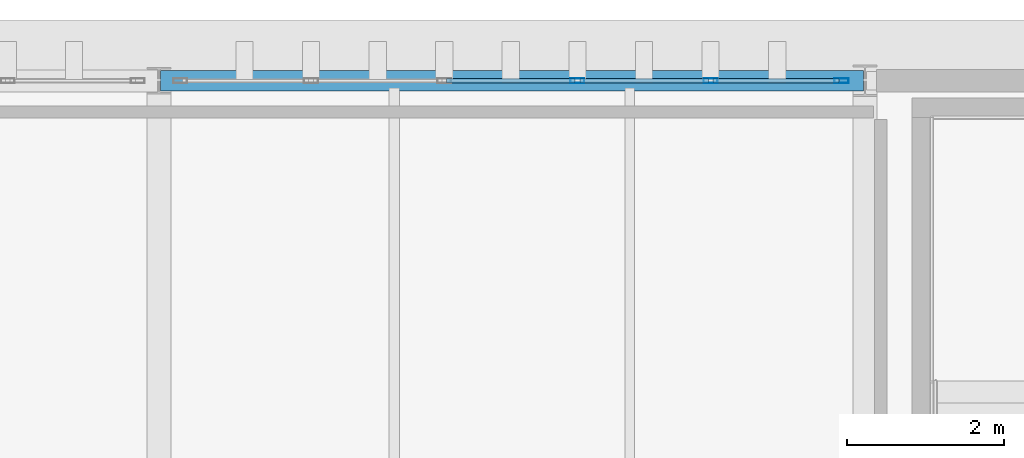
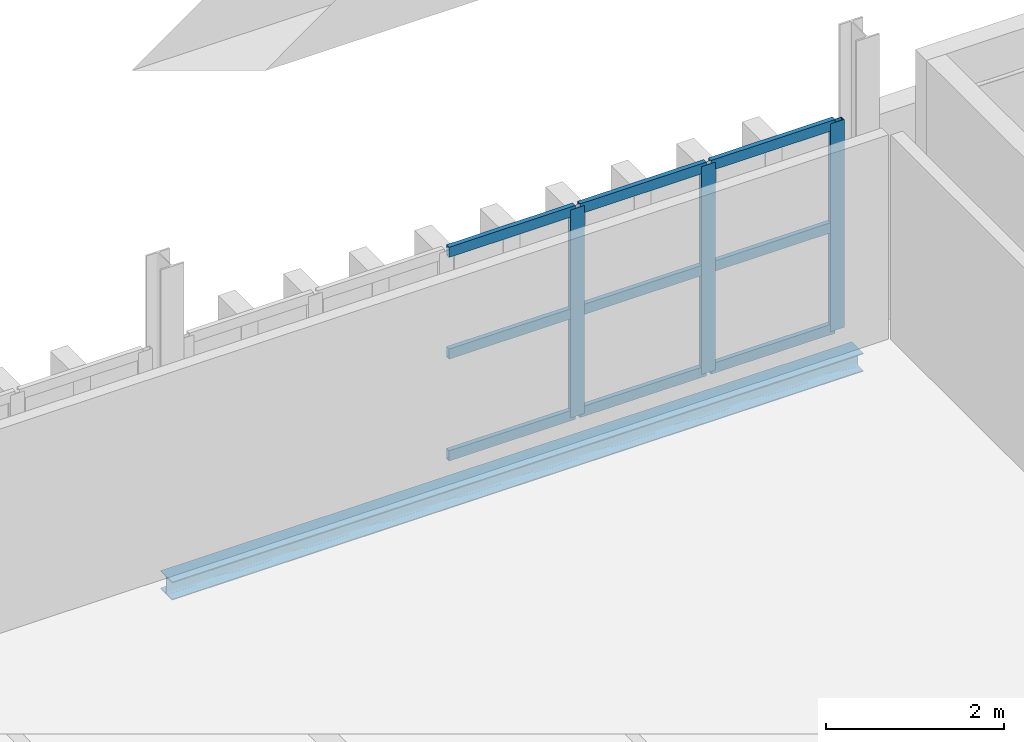
# One storey, part 69 of 102: 12 members, 1 beam, 1 element without a shape of its own.
"""IFC4 building model written with IfcOpenShell, lengths in metres."""

from ifc_helpers import new_model, si_unit, direction, frame, origin, origin_2d, place, context, subcontext, project, spatial, hollow_rectangle, i_section, extrude, material, layer, layer_set, material_profile, profile_set, type_object, element, aggregate, save


model = new_model("IFC4")

# Units and contexts
model_context = context("Model", 3, precision=1e-05, world=origin(), true_north=direction((0.0, 1.0)))
body_context = subcontext(model_context, "Body", "Model", "MODEL_VIEW")
ifc_project = project(units=[si_unit("LENGTHUNIT", "METRE"), si_unit("AREAUNIT", "SQUARE_METRE"), si_unit("VOLUMEUNIT", "CUBIC_METRE"), si_unit("PLANEANGLEUNIT", "RADIAN"), si_unit("MASSUNIT", "GRAM", prefix="KILO")], contexts=[model_context])

# Site, building, storey
site_placement = place(None, origin())
site = spatial("IfcSite", under=ifc_project, at=site_placement, CompositionType="ELEMENT")
building_placement = place(site_placement, origin())
building = spatial("IfcBuilding", under=site, at=building_placement, Name="Barlavento Convention Centre", CompositionType="ELEMENT")
storey_placement = place(building_placement, frame((0.0, 0.0, 22.800048828125)))
storey = spatial("IfcBuildingStorey", under=building, at=storey_placement, Name="L04", CompositionType="ELEMENT", Elevation=22.800048828125)

# Curtain wall, members
ifc_material_1 = material(Name="Powder-coated aluminium and Low-E glass", Category="aluminium")
ifc_layer = layer(ifc_material_1, 0.18505859375)
ifc_layer_set = layer_set([ifc_layer], Name="ARC-CW-CONF-L04")
curtain_wall_type = type_object("IfcCurtainWallType", Name="ARC-CW-CONF-L04", PredefinedType="NOTDEFINED", material=ifc_layer_set)
curtain_wall_placement = place(storey_placement, origin())
curtain_wall = element("IfcCurtainWall", 1, at=curtain_wall_placement, inside=storey, type_object=curtain_wall_type, Name="L04 unitised curtain wall CW09", PredefinedType="NOTDEFINED")
ifc_material_2 = material(Name="Powder-coated aluminium", Category="aluminium")
ifc_material_profile_1 = material_profile(ifc_material_2, hollow_rectangle(XDim=0.06005859375, YDim=0.179931640625, WallThickness=0.0048828125, at=origin_2d()), Name="AL-MULL 60x180x5")
ifc_profile_set_1 = profile_set([ifc_material_profile_1], Name="Powder-coated aluminium")
member_type_1 = type_object("IfcMemberType", Name="ARC-CWM-60X180", PredefinedType="MULLION", material=ifc_profile_set_1)
member_1_placement = place(storey_placement, frame((140.333984375, 99.0, 0.0), z_axis=(0.0, 0.0, 1.0), x_axis=(0.0, 1.0, 0.0)))
member_1 = element("IfcMember", 2, at=member_1_placement, type_object=member_type_1, Name="CW09 mullion 4", PredefinedType="MULLION", context=body_context, shape_type="SweptSolid", body=[
    extrude(hollow_rectangle(XDim=0.06005859375, YDim=0.179931640625, WallThickness=0.0048828125, at=origin_2d()), origin(), (0.0, 0.0, 1.0), 2.849853515625),
])
member_2_placement = place(storey_placement, frame((142.031982421875, 99.0, 0.0), z_axis=(0.0, 0.0, 1.0), x_axis=(0.0, 1.0, 0.0)))
member_2 = element("IfcMember", 3, at=member_2_placement, type_object=member_type_1, Name="CW09 mullion 5", PredefinedType="MULLION", context=body_context, shape_type="SweptSolid", body=[
    extrude(hollow_rectangle(XDim=0.06005859375, YDim=0.179931640625, WallThickness=0.0048828125, at=origin_2d()), origin(), (0.0, 0.0, 1.0), 2.849853515625),
])
member_3_placement = place(storey_placement, frame((143.699951171875, 99.0, 0.0), z_axis=(0.0, 0.0, 1.0), x_axis=(0.0, 1.0, 0.0)))
member_3 = element("IfcMember", 4, at=member_3_placement, type_object=member_type_1, Name="CW09 mullion 6", PredefinedType="MULLION", context=body_context, shape_type="SweptSolid", body=[
    extrude(hollow_rectangle(XDim=0.06005859375, YDim=0.179931640625, WallThickness=0.0048828125, at=origin_2d()), origin(), (0.0, 0.0, 1.0), 2.849853515625),
])
ifc_material_profile_2 = material_profile(ifc_material_2, hollow_rectangle(XDim=0.06005859375, YDim=0.139892578125, WallThickness=0.00390625, at=origin_2d()), Name="AL-TRAN 60x140x4")
ifc_profile_set_2 = profile_set([ifc_material_profile_2], Name="Powder-coated aluminium")
member_type_2 = type_object("IfcMemberType", Name="ARC-CWT-60X140", PredefinedType="USERDEFINED", material=ifc_profile_set_2)
member_4_placement = place(storey_placement, frame((138.666015625, 99.0, 0.030029296875), z_axis=(1.0, 0.0, 0.0), x_axis=(0.0, 1.0, 0.0)))
member_4 = element("IfcMember", 5, at=member_4_placement, type_object=member_type_2, Name="CW09 transom 3.1", ObjectType="TRANSOM", PredefinedType="USERDEFINED", context=body_context, shape_type="SweptSolid", body=[
    extrude(hollow_rectangle(XDim=0.06005859375, YDim=0.139892578125, WallThickness=0.00390625, at=origin_2d()), origin(), (0.0, 0.0, 1.0), 1.637939453125),
])
member_5_placement = place(storey_placement, frame((138.666015625, 99.0, 1.425048828125), z_axis=(1.0, 0.0, 0.0), x_axis=(0.0, 1.0, 0.0)))
member_5 = element("IfcMember", 6, at=member_5_placement, type_object=member_type_2, Name="CW09 transom 3.2", ObjectType="TRANSOM", PredefinedType="USERDEFINED", context=body_context, shape_type="SweptSolid", body=[
    extrude(hollow_rectangle(XDim=0.06005859375, YDim=0.139892578125, WallThickness=0.00390625, at=origin_2d()), origin(), (0.0, 0.0, 1.0), 1.637939453125),
])
member_6_placement = place(storey_placement, frame((138.666015625, 99.0, 2.820068359375), z_axis=(1.0, 0.0, 0.0), x_axis=(0.0, 1.0, 0.0)))
member_6 = element("IfcMember", 7, at=member_6_placement, type_object=member_type_2, Name="CW09 transom 3.3", ObjectType="TRANSOM", PredefinedType="USERDEFINED", context=body_context, shape_type="SweptSolid", body=[
    extrude(hollow_rectangle(XDim=0.06005859375, YDim=0.139892578125, WallThickness=0.00390625, at=origin_2d()), origin(), (0.0, 0.0, 1.0), 1.637939453125),
])
member_7_placement = place(storey_placement, frame((140.364013671875, 99.0, 0.030029296875), z_axis=(1.0, 0.0, 0.0), x_axis=(0.0, 1.0, 0.0)))
member_7 = element("IfcMember", 8, at=member_7_placement, type_object=member_type_2, Name="CW09 transom 4.1", ObjectType="TRANSOM", PredefinedType="USERDEFINED", context=body_context, shape_type="SweptSolid", body=[
    extrude(hollow_rectangle(XDim=0.06005859375, YDim=0.139892578125, WallThickness=0.00390625, at=origin_2d()), origin(), (0.0, 0.0, 1.0), 1.637939453125),
])
member_8_placement = place(storey_placement, frame((140.364013671875, 99.0, 1.425048828125), z_axis=(1.0, 0.0, 0.0), x_axis=(0.0, 1.0, 0.0)))
member_8 = element("IfcMember", 9, at=member_8_placement, type_object=member_type_2, Name="CW09 transom 4.2", ObjectType="TRANSOM", PredefinedType="USERDEFINED", context=body_context, shape_type="SweptSolid", body=[
    extrude(hollow_rectangle(XDim=0.06005859375, YDim=0.139892578125, WallThickness=0.00390625, at=origin_2d()), origin(), (0.0, 0.0, 1.0), 1.637939453125),
])
member_9_placement = place(storey_placement, frame((140.364013671875, 99.0, 2.820068359375), z_axis=(1.0, 0.0, 0.0), x_axis=(0.0, 1.0, 0.0)))
member_9 = element("IfcMember", 10, at=member_9_placement, type_object=member_type_2, Name="CW09 transom 4.3", ObjectType="TRANSOM", PredefinedType="USERDEFINED", context=body_context, shape_type="SweptSolid", body=[
    extrude(hollow_rectangle(XDim=0.06005859375, YDim=0.139892578125, WallThickness=0.00390625, at=origin_2d()), origin(), (0.0, 0.0, 1.0), 1.637939453125),
])
member_10_placement = place(storey_placement, frame((142.06201171875, 99.0, 0.030029296875), z_axis=(1.0, 0.0, 0.0), x_axis=(0.0, 1.0, 0.0)))
member_10 = element("IfcMember", 11, at=member_10_placement, type_object=member_type_2, Name="CW09 transom 5.1", ObjectType="TRANSOM", PredefinedType="USERDEFINED", context=body_context, shape_type="SweptSolid", body=[
    extrude(hollow_rectangle(XDim=0.06005859375, YDim=0.139892578125, WallThickness=0.00390625, at=origin_2d()), origin(), (0.0, 0.0, 1.0), 1.60791015625),
])
member_11_placement = place(storey_placement, frame((142.06201171875, 99.0, 1.425048828125), z_axis=(1.0, 0.0, 0.0), x_axis=(0.0, 1.0, 0.0)))
member_11 = element("IfcMember", 12, at=member_11_placement, type_object=member_type_2, Name="CW09 transom 5.2", ObjectType="TRANSOM", PredefinedType="USERDEFINED", context=body_context, shape_type="SweptSolid", body=[
    extrude(hollow_rectangle(XDim=0.06005859375, YDim=0.139892578125, WallThickness=0.00390625, at=origin_2d()), origin(), (0.0, 0.0, 1.0), 1.60791015625),
])
member_12_placement = place(storey_placement, frame((142.06201171875, 99.0, 2.820068359375), z_axis=(1.0, 0.0, 0.0), x_axis=(0.0, 1.0, 0.0)))
member_12 = element("IfcMember", 13, at=member_12_placement, type_object=member_type_2, Name="CW09 transom 5.3", ObjectType="TRANSOM", PredefinedType="USERDEFINED", context=body_context, shape_type="SweptSolid", body=[
    extrude(hollow_rectangle(XDim=0.06005859375, YDim=0.139892578125, WallThickness=0.00390625, at=origin_2d()), origin(), (0.0, 0.0, 1.0), 1.60791015625),
])
aggregate(curtain_wall, [member_1, member_2, member_3, member_4, member_5, member_6, member_7, member_8, member_9, member_10, member_11, member_12])

# Beam
ifc_material_3 = material(Name="Steel S355", Category="steel")
ifc_material_profile_3 = material_profile(ifc_material_3, i_section(OverallWidth=0.260009765625, OverallDepth=0.25, WebThickness=0.007568359375, FlangeThickness=0.012451171875, FilletRadius=0.02392578125, at=origin_2d()), Name="HEA 260")
ifc_profile_set_3 = profile_set([ifc_material_profile_3], Name="Steel S355")
beam_type = type_object("IfcBeamType", Name="STR-BM-SPN-HEA260", PredefinedType="SPANDREL", material=ifc_profile_set_3)
beam_placement = place(storey_placement, frame((135.02001953125, 99.0, -0.485107421875), z_axis=(1.0, 0.0, 0.0), x_axis=(0.0, 1.0, 0.0)))
element("IfcBeam", 14, at=beam_placement, inside=storey, type_object=beam_type, Name="L04 primary girder SP04", PredefinedType="SPANDREL", context=body_context, shape_type="SweptSolid", body=[
    extrude(i_section(OverallWidth=0.260009765625, OverallDepth=0.25, WebThickness=0.007568359375, FlangeThickness=0.012451171875, FilletRadius=0.02392578125, at=origin_2d()), origin(), (0.0, 0.0, 1.0), 8.9599609375),
])

save(model, "model.ifc")
